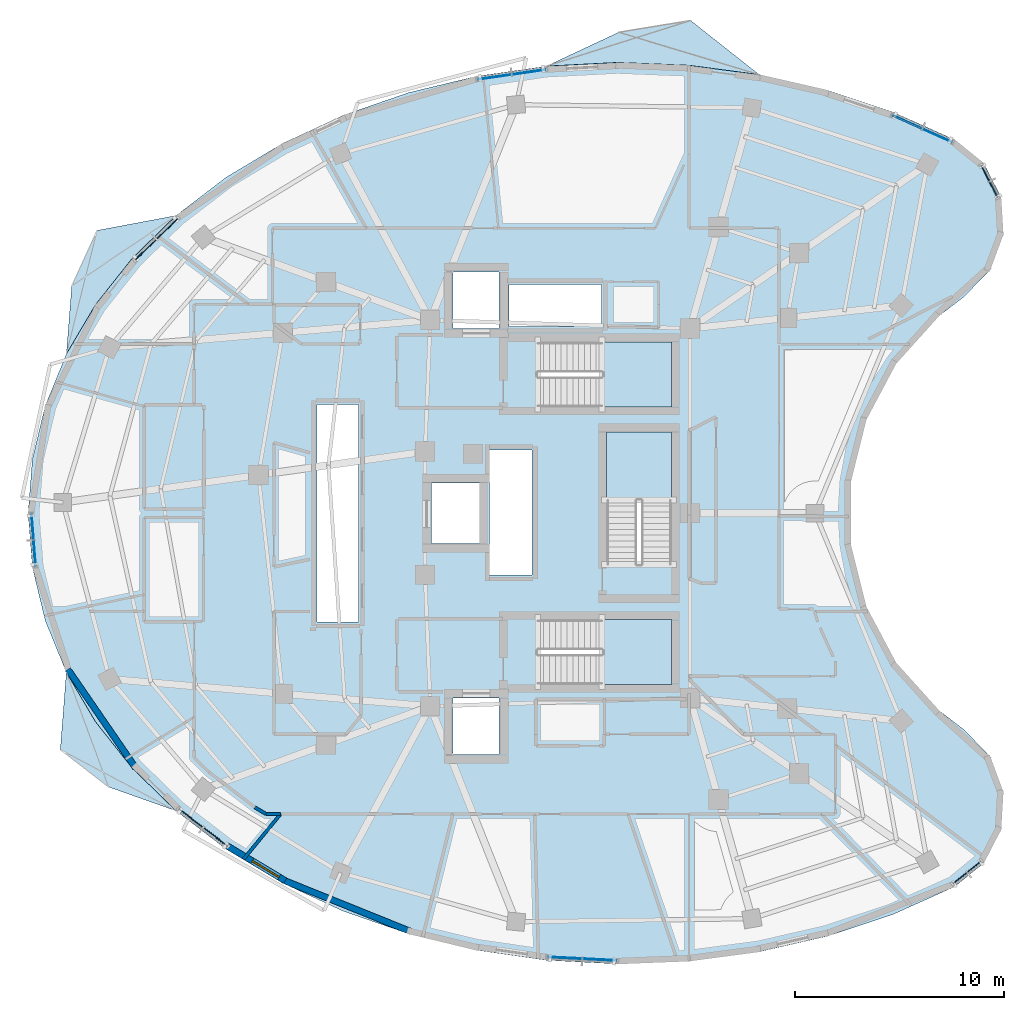
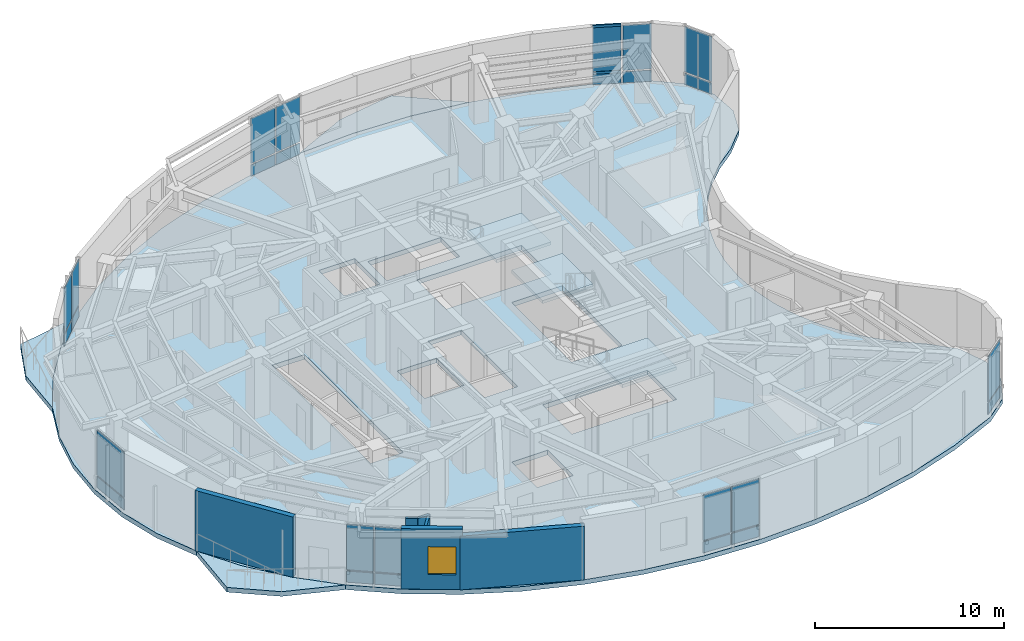
# One storey, part 6 of 14: 26 plates, 7 slabs, 6 walls, 2 members, 1 window, 1 opening, 11 elements without a shape of their own.
"""IFC4 building model written with IfcOpenShell, lengths in metres."""

from ifc_helpers import new_model, si_unit, direction, frame, frame_2d, origin, origin_2d, place, context, subcontext, project, spatial, polyline, rectangle, outline, extrude, material, layer, layer_set, material_profile, profile_set, type_object, element, fill, aggregate, save


model = new_model("IFC4")

# Units and contexts
model_context = context("Model", 3, precision=1e-05, world=origin(), true_north=direction((0.0, 1.0)))
body_context = subcontext(model_context, "Body", "Model", "MODEL_VIEW")
ifc_project = project(units=[si_unit("LENGTHUNIT", "METRE"), si_unit("AREAUNIT", "SQUARE_METRE"), si_unit("VOLUMEUNIT", "CUBIC_METRE"), si_unit("PLANEANGLEUNIT", "RADIAN"), si_unit("MASSUNIT", "GRAM", prefix="KILO")], contexts=[model_context])

# Site, building, storey
site_placement = place(None, origin())
site = spatial("IfcSite", under=ifc_project, at=site_placement, CompositionType="ELEMENT")
building_placement = place(site_placement, origin())
building = spatial("IfcBuilding", under=site, at=building_placement, Name="Korentha Bioscience Tower", CompositionType="ELEMENT")
storey_placement = place(building_placement, frame((0.0, 0.0, 252.0)))
storey = spatial("IfcBuildingStorey", under=building, at=storey_placement, Name="L58", CompositionType="ELEMENT", Elevation=252.0)

# Curtain wall, members, plates
ifc_material_1 = material(Name="Thermally Broken Aluminium Frame", Category="aluminium")
ifc_layer_1 = layer(ifc_material_1, 0.219970703125, Name="Thermally Broken Aluminium Frame")
ifc_layer_set_1 = layer_set([ifc_layer_1], Name="Thermally Broken Aluminium Frame (CW-T2)")
curtain_wall_type = type_object("IfcCurtainWallType", Name="Solar-Screened Lab Unitised Curtain Wall CW-T2", PredefinedType="USERDEFINED", material=ifc_layer_set_1)
curtain_wall_1_placement = place(storey_placement, origin())
curtain_wall_1 = element("IfcCurtainWall", 1, at=curtain_wall_1_placement, inside=storey, type_object=curtain_wall_type, Name="L58 Curtain Wall 01", ObjectType="UNITISED", PredefinedType="USERDEFINED")
ifc_material_2 = material(Name="Anodised Aluminium 6063-T6", Category="aluminium")
ifc_material_profile = material_profile(ifc_material_2, rectangle(XDim=0.090087890625, YDim=0.159912109375, at=origin_2d()), Name="Anodised Aluminium 6063-T6")
ifc_profile_set = profile_set([ifc_material_profile], Name="Anodised Aluminium 6063-T6 (CW-TRN)")
member_type = type_object("IfcMemberType", Name="Transom RECT 90x160", PredefinedType="USERDEFINED", material=ifc_profile_set)
member_1_placement = place(storey_placement, frame((48.630126953125, 45.43408203125, 0.85009765625), z_axis=(-0.912594152791, 0.408866619194, 0.0), x_axis=(-0.408866619194, -0.912594152791, 0.0)))
member_1 = element("IfcMember", 2, at=member_1_placement, type_object=member_type, Name="CW-L58-01 Bay 2 Transom 2", ObjectType="TRANSOM", PredefinedType="USERDEFINED", context=body_context, shape_type="SweptSolid", body=[
    extrude(rectangle(XDim=0.090087890625, YDim=0.159912109375, at=origin_2d()), origin(), (0.0, 0.0, 1.0), 1.5185546875),
])
member_2_placement = place(storey_placement, frame((48.630126953125, 45.43408203125, 3.85498046875), z_axis=(-0.912594152791, 0.408866619194, 0.0), x_axis=(-0.408866619194, -0.912594152791, 0.0)))
member_2 = element("IfcMember", 3, at=member_2_placement, type_object=member_type, Name="CW-L58-01 Bay 2 Transom 3", ObjectType="TRANSOM", PredefinedType="USERDEFINED", context=body_context, shape_type="SweptSolid", body=[
    extrude(rectangle(XDim=0.090087890625, YDim=0.159912109375, at=origin_2d()), origin(), (0.0, 0.0, 1.0), 1.5185546875),
])
ifc_material_3 = material(Name="Triple-Glazed Low-E Insulated Glass", Category="glass")
ifc_layer_2 = layer(ifc_material_3, 0.0439453125, Name="Triple-Glazed Low-E Insulated Glass")
ifc_layer_set_2 = layer_set([ifc_layer_2], Name="Triple-Glazed Low-E Insulated Glass (GL-44)")
plate_type = type_object("IfcPlateType", Name="Glazed Panel 44mm", PredefinedType="CURTAIN_PANEL", material=ifc_layer_set_2)
plate_1_placement = place(storey_placement, frame((49.4052734375, 45.0869140625, 0.08984375), z_axis=(0.0, 0.0, 1.0), x_axis=(-0.912621774183, 0.408804962405, 0.0)))
plate_1 = element("IfcPlate", 4, at=plate_1_placement, type_object=plate_type, Name="CW-L58-01 Bay 1 Glazed Panel 1", PredefinedType="CURTAIN_PANEL", context=body_context, shape_type="SweptSolid", body=[
    extrude(rectangle(XDim=1.5185546875, YDim=0.0439453125, at=origin_2d()), origin(), (0.0, 0.0, 1.0), 0.715087890625),
])
plate_2_placement = place(storey_placement, frame((49.4052734375, 45.0869140625, 0.89501953125), z_axis=(0.0, 0.0, 1.0), x_axis=(-0.912621774183, 0.408804962405, 0.0)))
plate_2 = element("IfcPlate", 5, at=plate_2_placement, type_object=plate_type, Name="CW-L58-01 Bay 1 Glazed Panel 2", PredefinedType="CURTAIN_PANEL", context=body_context, shape_type="SweptSolid", body=[
    extrude(rectangle(XDim=1.5185546875, YDim=0.0439453125, at=origin_2d()), origin(), (0.0, 0.0, 1.0), 2.9150390625),
])
plate_3_placement = place(storey_placement, frame((47.937255859375, 45.744384765625, 0.08984375), z_axis=(0.0, 0.0, 1.0), x_axis=(-0.912621774183, 0.408804962405, 0.0)))
plate_3 = element("IfcPlate", 6, at=plate_3_placement, type_object=plate_type, Name="CW-L58-01 Bay 2 Glazed Panel 1", PredefinedType="CURTAIN_PANEL", context=body_context, shape_type="SweptSolid", body=[
    extrude(rectangle(XDim=1.5185546875, YDim=0.0439453125, at=origin_2d()), origin(), (0.0, 0.0, 1.0), 0.715087890625),
])
plate_4_placement = place(storey_placement, frame((47.937255859375, 45.744384765625, 0.89501953125), z_axis=(0.0, 0.0, 1.0), x_axis=(-0.912621774183, 0.408804962405, 0.0)))
plate_4 = element("IfcPlate", 7, at=plate_4_placement, type_object=plate_type, Name="CW-L58-01 Bay 2 Glazed Panel 2", PredefinedType="CURTAIN_PANEL", context=body_context, shape_type="SweptSolid", body=[
    extrude(rectangle(XDim=1.5185546875, YDim=0.0439453125, at=origin_2d()), origin(), (0.0, 0.0, 1.0), 2.9150390625),
])
aggregate(curtain_wall_1, [plate_1, plate_2, member_1, member_2, plate_3, plate_4])

# Curtain wall, plates
curtain_wall_2_placement = place(storey_placement, origin())
curtain_wall_2 = element("IfcCurtainWall", 8, at=curtain_wall_2_placement, inside=storey, type_object=curtain_wall_type, Name="L58 Curtain Wall 07", ObjectType="UNITISED", PredefinedType="USERDEFINED")
plate_5_placement = place(storey_placement, frame((29.841796875, 48.13720703125, 0.08984375), z_axis=(0.0, 0.0, 1.0), x_axis=(-0.989728990307, -0.142956377076, 0.0)))
plate_5 = element("IfcPlate", 9, at=plate_5_placement, type_object=plate_type, Name="CW-L58-07 Bay 1 Glazed Panel 1", PredefinedType="CURTAIN_PANEL", context=body_context, shape_type="SweptSolid", body=[
    extrude(rectangle(XDim=1.602294921875, YDim=0.0439453125, at=origin_2d()), origin(), (0.0, 0.0, 1.0), 0.715087890625),
])
plate_6_placement = place(storey_placement, frame((29.841796875, 48.13720703125, 0.89501953125), z_axis=(0.0, 0.0, 1.0), x_axis=(-0.989728990307, -0.142956377076, 0.0)))
plate_6 = element("IfcPlate", 10, at=plate_6_placement, type_object=plate_type, Name="CW-L58-07 Bay 1 Glazed Panel 2", PredefinedType="CURTAIN_PANEL", context=body_context, shape_type="SweptSolid", body=[
    extrude(rectangle(XDim=1.602294921875, YDim=0.0439453125, at=origin_2d()), origin(), (0.0, 0.0, 1.0), 2.9150390625),
])
plate_7_placement = place(storey_placement, frame((28.1669921875, 47.8955078125, 0.08984375), z_axis=(0.0, 0.0, 1.0), x_axis=(-0.989728990307, -0.142956377076, 0.0)))
plate_7 = element("IfcPlate", 11, at=plate_7_placement, type_object=plate_type, Name="CW-L58-07 Bay 2 Glazed Panel 1", PredefinedType="CURTAIN_PANEL", context=body_context, shape_type="SweptSolid", body=[
    extrude(rectangle(XDim=1.602294921875, YDim=0.0439453125, at=origin_2d()), origin(), (0.0, 0.0, 1.0), 0.715087890625),
])
plate_8_placement = place(storey_placement, frame((28.1669921875, 47.8955078125, 0.89501953125), z_axis=(0.0, 0.0, 1.0), x_axis=(-0.989728990307, -0.142956377076, 0.0)))
plate_8 = element("IfcPlate", 12, at=plate_8_placement, type_object=plate_type, Name="CW-L58-07 Bay 2 Glazed Panel 2", PredefinedType="CURTAIN_PANEL", context=body_context, shape_type="SweptSolid", body=[
    extrude(rectangle(XDim=1.602294921875, YDim=0.0439453125, at=origin_2d()), origin(), (0.0, 0.0, 1.0), 2.9150390625),
])
aggregate(curtain_wall_2, [plate_5, plate_6, plate_7, plate_8])

curtain_wall_3_placement = place(storey_placement, origin())
curtain_wall_3 = element("IfcCurtainWall", 13, at=curtain_wall_3_placement, inside=storey, type_object=curtain_wall_type, Name="L58 Curtain Wall 13", ObjectType="UNITISED", PredefinedType="USERDEFINED")
plate_9_placement = place(storey_placement, frame((12.508056640625, 40.63330078125, 0.08984375), z_axis=(0.0, 0.0, 1.0), x_axis=(-0.715993919158, -0.698106516034, 0.0)))
plate_9 = element("IfcPlate", 14, at=plate_9_placement, type_object=plate_type, Name="CW-L58-13 Bay 1 Glazed Panel 1", PredefinedType="CURTAIN_PANEL", context=body_context, shape_type="SweptSolid", body=[
    extrude(rectangle(XDim=1.37158203125, YDim=0.0439453125, at=origin_2d()), origin(), (0.0, 0.0, 1.0), 0.715087890625),
])
plate_10_placement = place(storey_placement, frame((12.508056640625, 40.63330078125, 0.89501953125), z_axis=(0.0, 0.0, 1.0), x_axis=(-0.715993919158, -0.698106516034, 0.0)))
plate_10 = element("IfcPlate", 15, at=plate_10_placement, type_object=plate_type, Name="CW-L58-13 Bay 1 Glazed Panel 2", PredefinedType="CURTAIN_PANEL", context=body_context, shape_type="SweptSolid", body=[
    extrude(rectangle(XDim=1.37158203125, YDim=0.0439453125, at=origin_2d()), origin(), (0.0, 0.0, 1.0), 2.9150390625),
])
plate_11_placement = place(storey_placement, frame((11.46142578125, 39.61279296875, 0.08984375), z_axis=(0.0, 0.0, 1.0), x_axis=(-0.715993919158, -0.698106516034, 0.0)))
plate_11 = element("IfcPlate", 16, at=plate_11_placement, type_object=plate_type, Name="CW-L58-13 Bay 2 Glazed Panel 1", PredefinedType="CURTAIN_PANEL", context=body_context, shape_type="SweptSolid", body=[
    extrude(rectangle(XDim=1.37158203125, YDim=0.0439453125, at=origin_2d()), origin(), (0.0, 0.0, 1.0), 0.715087890625),
])
plate_12_placement = place(storey_placement, frame((11.46142578125, 39.61279296875, 0.89501953125), z_axis=(0.0, 0.0, 1.0), x_axis=(-0.715993919158, -0.698106516034, 0.0)))
plate_12 = element("IfcPlate", 17, at=plate_12_placement, type_object=plate_type, Name="CW-L58-13 Bay 2 Glazed Panel 2", PredefinedType="CURTAIN_PANEL", context=body_context, shape_type="SweptSolid", body=[
    extrude(rectangle(XDim=1.37158203125, YDim=0.0439453125, at=origin_2d()), origin(), (0.0, 0.0, 1.0), 2.9150390625),
])
aggregate(curtain_wall_3, [plate_9, plate_10, plate_11, plate_12])

curtain_wall_4_placement = place(storey_placement, origin())
curtain_wall_4 = element("IfcCurtainWall", 18, at=curtain_wall_4_placement, inside=storey, type_object=curtain_wall_type, Name="L58 Curtain Wall 19", ObjectType="UNITISED", PredefinedType="USERDEFINED")
plate_13_placement = place(storey_placement, frame((6.09521484375, 25.717529296875, 0.08984375), z_axis=(0.0, 0.0, 1.0), x_axis=(0.079117478884, -0.996865299093, 0.0)))
plate_13 = element("IfcPlate", 19, at=plate_13_placement, type_object=plate_type, Name="CW-L58-19 Bay 1 Glazed Panel 1", PredefinedType="CURTAIN_PANEL", context=body_context, shape_type="SweptSolid", body=[
    extrude(rectangle(XDim=2.498291015625, YDim=0.0439453125, at=origin_2d()), origin(), (0.0, 0.0, 1.0), 0.715087890625),
])
plate_14_placement = place(storey_placement, frame((6.09521484375, 25.717529296875, 0.89501953125), z_axis=(0.0, 0.0, 1.0), x_axis=(0.079117478884, -0.996865299093, 0.0)))
plate_14 = element("IfcPlate", 20, at=plate_14_placement, type_object=plate_type, Name="CW-L58-19 Bay 1 Glazed Panel 2", PredefinedType="CURTAIN_PANEL", context=body_context, shape_type="SweptSolid", body=[
    extrude(rectangle(XDim=2.498291015625, YDim=0.0439453125, at=origin_2d()), origin(), (0.0, 0.0, 1.0), 2.9150390625),
])
aggregate(curtain_wall_4, [plate_13, plate_14])

curtain_wall_5_placement = place(storey_placement, origin())
curtain_wall_5 = element("IfcCurtainWall", 21, at=curtain_wall_5_placement, inside=storey, type_object=curtain_wall_type, Name="L58 Curtain Wall 25", ObjectType="UNITISED", PredefinedType="USERDEFINED")
plate_15_placement = place(storey_placement, frame((13.62451171875, 12.403564453125, 0.08984375), z_axis=(0.0, 0.0, 1.0), x_axis=(0.794382455982, -0.607417906904, 0.0)))
plate_15 = element("IfcPlate", 22, at=plate_15_placement, type_object=plate_type, Name="CW-L58-25 Bay 1 Glazed Panel 1", PredefinedType="CURTAIN_PANEL", context=body_context, shape_type="SweptSolid", body=[
    extrude(rectangle(XDim=1.421142578125, YDim=0.0439453125, at=origin_2d()), origin(), (0.0, 0.0, 1.0), 0.715087890625),
])
plate_16_placement = place(storey_placement, frame((13.62451171875, 12.403564453125, 0.89501953125), z_axis=(0.0, 0.0, 1.0), x_axis=(0.794382455982, -0.607417906904, 0.0)))
plate_16 = element("IfcPlate", 23, at=plate_16_placement, type_object=plate_type, Name="CW-L58-25 Bay 1 Glazed Panel 2", PredefinedType="CURTAIN_PANEL", context=body_context, shape_type="SweptSolid", body=[
    extrude(rectangle(XDim=1.421142578125, YDim=0.0439453125, at=origin_2d()), origin(), (0.0, 0.0, 1.0), 2.9150390625),
])
plate_17_placement = place(storey_placement, frame((14.824951171875, 11.485595703125, 0.08984375), z_axis=(0.0, 0.0, 1.0), x_axis=(0.794382455982, -0.607417906904, 0.0)))
plate_17 = element("IfcPlate", 24, at=plate_17_placement, type_object=plate_type, Name="CW-L58-25 Bay 2 Glazed Panel 1", PredefinedType="CURTAIN_PANEL", context=body_context, shape_type="SweptSolid", body=[
    extrude(rectangle(XDim=1.421142578125, YDim=0.0439453125, at=origin_2d()), origin(), (0.0, 0.0, 1.0), 0.715087890625),
])
plate_18_placement = place(storey_placement, frame((14.824951171875, 11.485595703125, 0.89501953125), z_axis=(0.0, 0.0, 1.0), x_axis=(0.794382455982, -0.607417906904, 0.0)))
plate_18 = element("IfcPlate", 25, at=plate_18_placement, type_object=plate_type, Name="CW-L58-25 Bay 2 Glazed Panel 2", PredefinedType="CURTAIN_PANEL", context=body_context, shape_type="SweptSolid", body=[
    extrude(rectangle(XDim=1.421142578125, YDim=0.0439453125, at=origin_2d()), origin(), (0.0, 0.0, 1.0), 2.9150390625),
])
aggregate(curtain_wall_5, [plate_15, plate_16, plate_17, plate_18])

curtain_wall_6_placement = place(storey_placement, origin())
curtain_wall_6 = element("IfcCurtainWall", 26, at=curtain_wall_6_placement, inside=storey, type_object=curtain_wall_type, Name="L58 Curtain Wall 31", ObjectType="UNITISED", PredefinedType="USERDEFINED")
plate_19_placement = place(storey_placement, frame((31.52490234375, 5.6982421875, 0.08984375), z_axis=(0.0, 0.0, 1.0), x_axis=(0.998671032258, -0.051538037689, 0.0)))
plate_19 = element("IfcPlate", 27, at=plate_19_placement, type_object=plate_type, Name="CW-L58-31 Bay 1 Glazed Panel 1", PredefinedType="CURTAIN_PANEL", context=body_context, shape_type="SweptSolid", body=[
    extrude(rectangle(XDim=1.61328125, YDim=0.0439453125, at=origin_2d()), origin(), (0.0, 0.0, 1.0), 0.715087890625),
])
plate_20_placement = place(storey_placement, frame((31.52490234375, 5.6982421875, 0.89501953125), z_axis=(0.0, 0.0, 1.0), x_axis=(0.998671032258, -0.051538037689, 0.0)))
plate_20 = element("IfcPlate", 28, at=plate_20_placement, type_object=plate_type, Name="CW-L58-31 Bay 1 Glazed Panel 2", PredefinedType="CURTAIN_PANEL", context=body_context, shape_type="SweptSolid", body=[
    extrude(rectangle(XDim=1.61328125, YDim=0.0439453125, at=origin_2d()), origin(), (0.0, 0.0, 1.0), 2.9150390625),
])
plate_21_placement = place(storey_placement, frame((33.225830078125, 5.610595703125, 0.08984375), z_axis=(0.0, 0.0, 1.0), x_axis=(0.998671032258, -0.051538037689, 0.0)))
plate_21 = element("IfcPlate", 29, at=plate_21_placement, type_object=plate_type, Name="CW-L58-31 Bay 2 Glazed Panel 1", PredefinedType="CURTAIN_PANEL", context=body_context, shape_type="SweptSolid", body=[
    extrude(rectangle(XDim=1.61328125, YDim=0.0439453125, at=origin_2d()), origin(), (0.0, 0.0, 1.0), 0.715087890625),
])
plate_22_placement = place(storey_placement, frame((33.225830078125, 5.610595703125, 0.89501953125), z_axis=(0.0, 0.0, 1.0), x_axis=(0.998671032258, -0.051538037689, 0.0)))
plate_22 = element("IfcPlate", 30, at=plate_22_placement, type_object=plate_type, Name="CW-L58-31 Bay 2 Glazed Panel 2", PredefinedType="CURTAIN_PANEL", context=body_context, shape_type="SweptSolid", body=[
    extrude(rectangle(XDim=1.61328125, YDim=0.0439453125, at=origin_2d()), origin(), (0.0, 0.0, 1.0), 2.9150390625),
])
aggregate(curtain_wall_6, [plate_19, plate_20, plate_21, plate_22])

curtain_wall_7_placement = place(storey_placement, origin())
curtain_wall_7 = element("IfcCurtainWall", 31, at=curtain_wall_7_placement, inside=storey, type_object=curtain_wall_type, Name="L58 Curtain Wall 37", ObjectType="UNITISED", PredefinedType="USERDEFINED")
plate_23_placement = place(storey_placement, frame((50.810791015625, 9.790771484375, 0.08984375), z_axis=(0.0, 0.0, 1.0), x_axis=(0.777226359638, 0.629221094596, 0.0)))
plate_23 = element("IfcPlate", 32, at=plate_23_placement, type_object=plate_type, Name="CW-L58-37 Bay 1 Glazed Panel 1", PredefinedType="CURTAIN_PANEL", context=body_context, shape_type="SweptSolid", body=[
    extrude(rectangle(XDim=1.70703125, YDim=0.0439453125, at=origin_2d()), origin(), (0.0, 0.0, 1.0), 0.715087890625),
])
plate_24_placement = place(storey_placement, frame((50.810791015625, 9.790771484375, 0.89501953125), z_axis=(0.0, 0.0, 1.0), x_axis=(0.777226359638, 0.629221094596, 0.0)))
plate_24 = element("IfcPlate", 33, at=plate_24_placement, type_object=plate_type, Name="CW-L58-37 Bay 1 Glazed Panel 2", PredefinedType="CURTAIN_PANEL", context=body_context, shape_type="SweptSolid", body=[
    extrude(rectangle(XDim=1.70703125, YDim=0.0439453125, at=origin_2d()), origin(), (0.0, 0.0, 1.0), 2.9150390625),
])
aggregate(curtain_wall_7, [plate_23, plate_24])

curtain_wall_8_placement = place(storey_placement, origin())
curtain_wall_8 = element("IfcCurtainWall", 34, at=curtain_wall_8_placement, inside=storey, type_object=curtain_wall_type, Name="L58 Curtain Wall 61", ObjectType="UNITISED", PredefinedType="USERDEFINED")
plate_25_placement = place(storey_placement, frame((51.885009765625, 42.888671875, 0.08984375), z_axis=(0.0, 0.0, 1.0), x_axis=(-0.457569503198, 0.889173857996, 0.0)))
plate_25 = element("IfcPlate", 35, at=plate_25_placement, type_object=plate_type, Name="CW-L58-61 Bay 1 Glazed Panel 1", PredefinedType="CURTAIN_PANEL", context=body_context, shape_type="SweptSolid", body=[
    extrude(rectangle(XDim=1.70703125, YDim=0.0439453125, at=origin_2d()), origin(), (0.0, 0.0, 1.0), 0.715087890625),
])
plate_26_placement = place(storey_placement, frame((51.885009765625, 42.888671875, 0.89501953125), z_axis=(0.0, 0.0, 1.0), x_axis=(-0.457569503198, 0.889173857996, 0.0)))
plate_26 = element("IfcPlate", 36, at=plate_26_placement, type_object=plate_type, Name="CW-L58-61 Bay 1 Glazed Panel 2", PredefinedType="CURTAIN_PANEL", context=body_context, shape_type="SweptSolid", body=[
    extrude(rectangle(XDim=1.70703125, YDim=0.0439453125, at=origin_2d()), origin(), (0.0, 0.0, 1.0), 2.9150390625),
])
aggregate(curtain_wall_8, [plate_25, plate_26])

# Slab
ifc_material_4 = material(Name="Concrete C50", Category="concrete")
ifc_layer_3 = layer(ifc_material_4, 0.300048828125, Name="Concrete C50")
ifc_layer_set_3 = layer_set([ifc_layer_3], Name="Concrete C50 (SL-L300)")
slab_type_1 = type_object("IfcSlabType", Name="Laboratory Vibration-Controlled Slab 300", PredefinedType="FLOOR", material=ifc_layer_set_3)
slab_1_placement = place(storey_placement, frame((0.0, 0.0, -0.300048828125)))
element("IfcSlab", 37, at=slab_1_placement, inside=storey, type_object=slab_type_1, Name="L58 Tower Structural Floor Slab", PredefinedType="FLOOR", context=body_context, shape_type="SweptSolid", body=[
    extrude(outline(polyline([(50.209228515625, 44.902099609375), (47.26416015625, 46.22119140625), (44.1318359375, 47.262939453125), (40.857666015625, 48.011962890625), (37.488525390625, 48.45751953125), (34.0732421875, 48.593505859375), (30.6611328125, 48.41748046875), (27.301513671875, 47.93212890625), (24.04296875, 47.144775390625), (20.932373046875, 46.06640625), (18.0146484375, 44.712890625), (15.33203125, 43.103515625), (12.923095703125, 41.261474609375), (10.822998046875, 39.213623046875), (9.0615234375, 36.989501953125), (7.66455078125, 34.62109375), (6.65185546875, 32.142822265625), (6.03857421875, 29.590087890625), (5.8330078125, 27.0), (6.03857421875, 24.409912109375), (6.65185546875, 21.857177734375), (7.66455078125, 19.37890625), (9.0615234375, 17.010498046875), (10.822998046875, 14.786376953125), (12.923095703125, 12.738525390625), (15.33203125, 10.896484375), (18.0146484375, 9.287109375), (20.932373046875, 7.93359375), (24.04296875, 6.855224609375), (27.301513671875, 6.06787109375), (30.6611328125, 5.58251953125), (34.0732421875, 5.406494140625), (37.488525390625, 5.54248046875), (40.857666015625, 5.988037109375), (44.1318359375, 6.737060546875), (47.26416015625, 7.77880859375), (50.209228515625, 9.097900390625), (51.61376953125, 10.23486328125), (52.440673828125, 11.841552734375), (52.54931640625, 13.6455078125), (51.92138671875, 15.340087890625), (50.66357421875, 16.637451171875), (49.452880859375, 17.56640625), (48.3642578125, 18.63623046875), (47.414306640625, 19.83056640625), (46.616943359375, 21.1318359375), (45.98388671875, 22.5205078125), (45.525146484375, 23.97607421875), (45.246826171875, 25.476806640625), (45.15380859375, 27.0), (45.246826171875, 28.523193359375), (45.525146484375, 30.02392578125), (45.98388671875, 31.4794921875), (46.616943359375, 32.8681640625), (47.414306640625, 34.16943359375), (48.3642578125, 35.36376953125), (49.452880859375, 36.43359375), (50.66357421875, 37.362548828125), (51.92138671875, 38.659912109375), (52.54931640625, 40.3544921875), (52.440673828125, 42.158447265625), (51.61376953125, 43.76513671875), (50.209228515625, 44.902099609375)]), holes=[polyline([(30.25, 32.10009765625), (36.64990234375, 32.10009765625), (36.64990234375, 35.199951171875), (30.25, 35.199951171875), (30.25, 32.10009765625)]), polyline([(30.25, 18.800048828125), (36.64990234375, 18.800048828125), (36.64990234375, 21.89990234375), (30.25, 21.89990234375), (30.25, 18.800048828125)]), polyline([(36.64990234375, 24.550048828125), (36.64990234375, 30.89990234375), (33.550048828125, 30.89990234375), (33.550048828125, 24.550048828125), (36.64990234375, 24.550048828125)]), polyline([(19.679931640625, 21.780029296875), (21.669921875, 21.780029296875), (21.669921875, 32.219970703125), (19.679931640625, 32.219970703125), (19.679931640625, 21.780029296875)]), polyline([(27.929931640625, 24.030029296875), (29.969970703125, 24.030029296875), (29.969970703125, 30.02001953125), (27.929931640625, 30.02001953125), (27.929931640625, 24.030029296875)]), polyline([(28.860107421875, 35.93994140625), (33.31005859375, 35.93994140625), (33.31005859375, 37.9599609375), (28.860107421875, 37.9599609375), (28.860107421875, 35.93994140625)]), polyline([(26.199951171875, 15.449951171875), (28.39990234375, 15.449951171875), (28.39990234375, 18.14990234375), (26.199951171875, 18.14990234375), (26.199951171875, 15.449951171875)]), polyline([(26.199951171875, 35.85009765625), (28.39990234375, 35.85009765625), (28.39990234375, 38.550048828125), (26.199951171875, 38.550048828125), (26.199951171875, 35.85009765625)]), polyline([(25.14990234375, 25.550048828125), (27.550048828125, 25.550048828125), (27.550048828125, 28.449951171875), (25.14990234375, 28.449951171875), (25.14990234375, 25.550048828125)])]), origin(), (0.0, 0.0, 1.0), 0.300048828125),
])

# Stair, slab
ifc_material_5 = material(Name="Precast Concrete C50", Category="concrete")
stair_type = type_object("IfcStairType", Name="Core Exit Dog-Leg Stair 1450", PredefinedType="HALF_TURN_STAIR", material=ifc_material_5)
stair_1_placement = place(storey_placement, origin())
stair_1 = element("IfcStair", 38, at=stair_1_placement, inside=storey, type_object=stair_type, Name="L58 Tower North Pressurized Exit Stair ST-1", PredefinedType="HALF_TURN_STAIR")
ifc_layer_4 = layer(ifc_material_4, 0.199951171875, Name="Concrete C50")
ifc_layer_set_4 = layer_set([ifc_layer_4], Name="Concrete C50 (SL-LND)")
slab_type_2 = type_object("IfcSlabType", Name="Landing Slab 200", PredefinedType="LANDING", material=ifc_layer_set_4)
slab_2_placement = place(storey_placement, frame((0.0, 0.0, 1.89990234375)))
slab_2 = element("IfcSlab", 39, at=slab_2_placement, type_object=slab_type_2, Name="ST-1 landing 1", PredefinedType="LANDING", context=body_context, shape_type="SweptSolid", body=[
    extrude(outline(polyline([(33.330078125, 32.10009765625), (36.64990234375, 32.10009765625), (36.64990234375, 35.199951171875), (33.330078125, 35.199951171875), (33.330078125, 32.10009765625)])), origin(), (0.0, 0.0, 1.0), 0.2001953125),
])
aggregate(stair_1, [slab_2])

stair_2_placement = place(storey_placement, origin())
stair_2 = element("IfcStair", 40, at=stair_2_placement, inside=storey, type_object=stair_type, Name="L58 Tower South Pressurized Exit Stair ST-2", PredefinedType="HALF_TURN_STAIR")
slab_3_placement = place(storey_placement, frame((0.0, 0.0, 1.89990234375)))
slab_3 = element("IfcSlab", 41, at=slab_3_placement, type_object=slab_type_2, Name="ST-2 landing 1", PredefinedType="LANDING", context=body_context, shape_type="SweptSolid", body=[
    extrude(outline(polyline([(33.330078125, 18.800048828125), (36.64990234375, 18.800048828125), (36.64990234375, 21.89990234375), (33.330078125, 21.89990234375), (33.330078125, 18.800048828125)])), origin(), (0.0, 0.0, 1.0), 0.2001953125),
])
aggregate(stair_2, [slab_3])

stair_3_placement = place(storey_placement, origin())
stair_3 = element("IfcStair", 42, at=stair_3_placement, inside=storey, type_object=stair_type, Name="L58 Tower Central Pressurized Exit Stair ST-3", PredefinedType="HALF_TURN_STAIR")
slab_4_placement = place(storey_placement, frame((0.0, 0.0, 1.89990234375)))
slab_4 = element("IfcSlab", 43, at=slab_4_placement, type_object=slab_type_2, Name="ST-3 landing 1", PredefinedType="LANDING", context=body_context, shape_type="SweptSolid", body=[
    extrude(outline(polyline([(36.64990234375, 27.6298828125), (36.64990234375, 30.89990234375), (33.550048828125, 30.89990234375), (33.550048828125, 27.6298828125), (36.64990234375, 27.6298828125)])), origin(), (0.0, 0.0, 1.0), 0.2001953125),
])
aggregate(stair_3, [slab_4])

# Slabs
ifc_layer_5 = layer(ifc_material_4, 0.300048828125, Name="Concrete C50")
ifc_layer_set_5 = layer_set([ifc_layer_5], Name="Concrete C50 (BS-240)")
slab_type_3 = type_object("IfcSlabType", Name="Sawtooth Sun-Ledge Balcony Slab 240", PredefinedType="USERDEFINED", material=ifc_layer_set_5)
slab_5_placement = place(storey_placement, frame((0.0, 0.0, -0.300048828125)))
element("IfcSlab", 44, at=slab_5_placement, inside=storey, type_object=slab_type_3, Name="L58 Sun-Ledge Balcony 01", ObjectType="BALCONY", PredefinedType="USERDEFINED", context=body_context, shape_type="SweptSolid", body=[
    extrude(outline(polyline([(30.6611328125, 48.41748046875), (34.0732421875, 48.593505859375), (37.488525390625, 48.45751953125), (40.857666015625, 48.011962890625), (37.573974609375, 50.60595703125), (34.130859375, 50.042236328125), (30.6611328125, 48.41748046875)])), origin(), (0.0, 0.0, 1.0), 0.300048828125),
])
slab_6_placement = place(storey_placement, frame((0.0, 0.0, -0.300048828125)))
element("IfcSlab", 45, at=slab_6_placement, inside=storey, type_object=slab_type_3, Name="L58 Sun-Ledge Balcony 02", ObjectType="BALCONY", PredefinedType="USERDEFINED", context=body_context, shape_type="SweptSolid", body=[
    extrude(outline(polyline([(7.66455078125, 34.62109375), (9.0615234375, 36.989501953125), (10.822998046875, 39.213623046875), (12.923095703125, 41.261474609375), (9.137451171875, 40.548583984375), (7.9248046875, 37.889892578125), (7.66455078125, 34.62109375)])), origin(), (0.0, 0.0, 1.0), 0.300048828125),
])
slab_7_placement = place(storey_placement, frame((0.0, 0.0, -0.300048828125)))
element("IfcSlab", 46, at=slab_7_placement, inside=storey, type_object=slab_type_3, Name="L58 Sun-Ledge Balcony 03", ObjectType="BALCONY", PredefinedType="USERDEFINED", context=body_context, shape_type="SweptSolid", body=[
    extrude(outline(polyline([(12.923095703125, 12.738525390625), (10.822998046875, 14.786376953125), (9.0615234375, 17.010498046875), (7.66455078125, 19.37890625), (7.3759765625, 15.675537109375), (9.686279296875, 13.885986328125), (12.923095703125, 12.738525390625)])), origin(), (0.0, 0.0, 1.0), 0.300048828125),
])

# Walls
ifc_material_6 = material(Name="Double-Stud Acoustic Gypsum", Category="gypsum")
ifc_layer_6 = layer(ifc_material_6, 0.14990234375, Name="Double-Stud Acoustic Gypsum")
ifc_layer_set_6 = layer_set([ifc_layer_6], Name="Double-Stud Acoustic Gypsum (IW-L150)")
wall_type_1 = type_object("IfcWallType", Name="Acoustic Laboratory Partition Wall 150", PredefinedType="PARTITIONING", material=ifc_layer_set_6)
wall_1_placement = place(storey_placement, frame((16.699951171875, 12.90966796875, 0.0), z_axis=(0.0, 0.0, 1.0), x_axis=(0.857458106414, -0.514553783141, 0.0)))
element("IfcWall", 47, at=wall_1_placement, inside=storey, type_object=wall_type_1, Name="L58 Interior Partition 057", PredefinedType="PARTITIONING", context=body_context, shape_type="SweptSolid", body=[
    extrude(rectangle(XDim=0.61865234375, YDim=0.14990234375, at=frame_2d((0.309326171875, 0.0))), origin(), (0.0, 0.0, 1.0), 2.909912109375),
])
wall_2_placement = place(storey_placement, frame((17.235595703125, 12.590087890625, 0.0), z_axis=(0.0, 0.0, 1.0), x_axis=(1.0, 0.0, 0.0)))
element("IfcWall", 48, at=wall_2_placement, inside=storey, type_object=wall_type_1, Name="L58 Interior Partition 058", PredefinedType="PARTITIONING", context=body_context, shape_type="SweptSolid", body=[
    extrude(rectangle(XDim=0.6923828125, YDim=0.14990234375, at=frame_2d((0.34619140625, 0.0))), origin(), (0.0, 0.0, 1.0), 2.909912109375),
])
wall_3_placement = place(storey_placement, frame((17.927978515625, 12.590087890625, 0.0), z_axis=(0.0, 0.0, 1.0), x_axis=(-0.633318665549, -0.773891121455, 0.0)))
element("IfcWall", 49, at=wall_3_placement, inside=storey, type_object=wall_type_1, Name="L58 Interior Partition 059", PredefinedType="PARTITIONING", context=body_context, shape_type="SweptSolid", body=[
    extrude(rectangle(XDim=2.79443359375, YDim=0.14990234375, at=frame_2d((1.397216796875, 0.0))), origin(), (0.0, 0.0, 1.0), 2.909912109375),
])

# Wall, opening, window
ifc_material_7 = material(Name="Honed Limestone Precast Concrete C40", Category="masonry")
ifc_layer_7 = layer(ifc_material_7, 0.300048828125, Name="Honed Limestone Precast Concrete C40")
ifc_layer_set_7 = layer_set([ifc_layer_7], Name="Honed Limestone Precast Concrete C40 (EW-ST300)")
wall_type_2 = type_object("IfcWallType", Name="Honed Limestone Cavity Spandrel Wall 300", PredefinedType="STANDARD", material=ifc_layer_set_7)
wall_4_placement = place(storey_placement, frame((15.36279296875, 11.064697265625, 0.0), z_axis=(0.0, 0.0, 1.0), x_axis=(0.857526080841, -0.514440492844, 0.0)))
wall_4 = element("IfcWall", 50, at=wall_4_placement, inside=storey, type_object=wall_type_2, Name="L58 Honed Limestone Spandrel Wall 26", PredefinedType="STANDARD", context=body_context, shape_type="SweptSolid", body=[
    extrude(rectangle(XDim=3.24853515625, YDim=0.300048828125, at=frame_2d((1.624267578125, 0.0))), origin(), (0.0, 0.0, 1.0), 3.89990234375),
])
opening_placement = place(wall_4_placement, frame((1.408203125, 0.0, 0.949951171875)))
opening = element("IfcOpeningElement", 51, at=opening_placement, cuts=wall_4, Name="Opening WN-02", PredefinedType="OPENING", context=body_context, shape_type="SweptSolid", body=[
    extrude(rectangle(XDim=1.5, YDim=1.800048828125, at=frame_2d((0.75, 0.89990234375))), frame((0.0, 0.1650390625, 0.0), z_axis=(0.0, -1.0, 0.0), x_axis=(1.0, 0.0, 0.0)), (0.0, 0.0, 1.0), 0.329833984375),
])
ifc_material_8 = material(Name="Thermally Broken Aluminium Triple Glazing", Category="aluminium")
window_type = type_object("IfcWindowType", Name="Acoustic Operable Office Window 1500x1800", PartitioningType="DOUBLE_PANEL_VERTICAL", PredefinedType="WINDOW", material=ifc_material_8)
window_placement = place(opening_placement, origin())
window = element("IfcWindow", 52, at=window_placement, inside=storey, type_object=window_type, Name="L58 Facade Window 26", OverallHeight=1.800048828125, OverallWidth=1.5, PartitioningType="DOUBLE_PANEL_VERTICAL", PredefinedType="WINDOW", context=body_context, shape_type="SweptSolid", body=[
    extrude(rectangle(XDim=1.5, YDim=1.800048828125, at=frame_2d((0.75, 0.89990234375))), frame((0.0, 0.030029296875, 0.0), z_axis=(0.0, -1.0, 0.0), x_axis=(1.0, 0.0, 0.0)), (0.0, 0.0, 1.0), 0.06005859375),
])
fill(opening, window)

# Walls
wall_5_placement = place(storey_placement, frame((7.734619140625, 19.52392578125, 0.0), z_axis=(0.0, 0.0, 1.0), x_axis=(0.566669772846, -0.823945003349, 0.0)))
element("IfcWall", 53, at=wall_5_placement, inside=storey, type_object=wall_type_2, Name="L58 Limestone Perimeter Closure Wall 22", PredefinedType="STANDARD", context=body_context, shape_type="SweptSolid", body=[
    extrude(rectangle(XDim=5.733642578125, YDim=0.300048828125, at=frame_2d((2.86669921875, 0.0))), origin(), (0.0, 0.0, 1.0), 3.89990234375),
])
wall_6_placement = place(storey_placement, frame((17.992919921875, 9.447021484375, 0.0), z_axis=(0.0, 0.0, 1.0), x_axis=(0.927372969182, -0.374138177725, 0.0)))
element("IfcWall", 54, at=wall_6_placement, inside=storey, type_object=wall_type_2, Name="L58 Limestone Perimeter Closure Wall 27", PredefinedType="STANDARD", context=body_context, shape_type="SweptSolid", body=[
    extrude(rectangle(XDim=6.660400390625, YDim=0.300048828125, at=frame_2d((3.330078125, 0.0))), origin(), (0.0, 0.0, 1.0), 3.469970703125),
])

save(model, "model.ifc")
